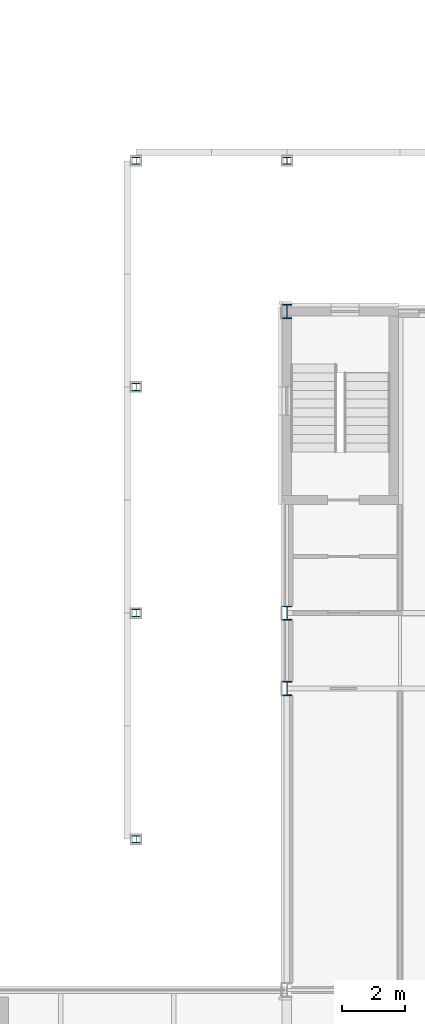
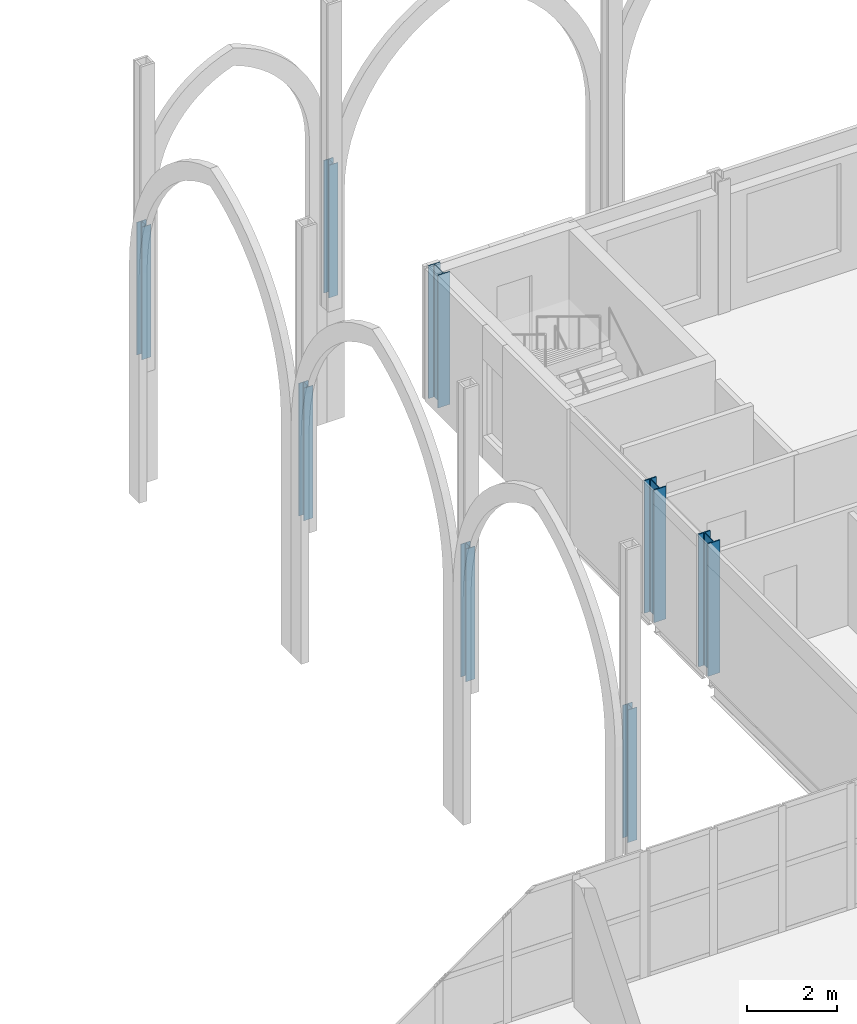
# One storey, part 10 of 124: 8 columns.
"""IFC4 building model written with IfcOpenShell, lengths in metres."""

from ifc_helpers import new_model, si_unit, direction, frame, origin, origin_2d, place, context, subcontext, project, spatial, i_section, extrude, material, material_profile, profile_set, type_object, element, save


model = new_model("IFC4")

# Units and contexts
model_context = context("Model", 3, precision=1e-05, world=origin(), true_north=direction((0.0, 1.0)))
body_context = subcontext(model_context, "Body", "Model", "MODEL_VIEW")
ifc_project = project(units=[si_unit("LENGTHUNIT", "METRE"), si_unit("AREAUNIT", "SQUARE_METRE"), si_unit("VOLUMEUNIT", "CUBIC_METRE"), si_unit("PLANEANGLEUNIT", "RADIAN"), si_unit("MASSUNIT", "GRAM", prefix="KILO")], contexts=[model_context])

# Site, building, storey
site_placement = place(None, origin())
site = spatial("IfcSite", under=ifc_project, at=site_placement, CompositionType="ELEMENT")
building_placement = place(site_placement, origin())
building = spatial("IfcBuilding", under=site, at=building_placement, Name="Kupolbacken Congress Centre", CompositionType="ELEMENT")
storey_placement = place(building_placement, frame((0.0, 0.0, 10.800048828125)))
storey = spatial("IfcBuildingStorey", under=building, at=storey_placement, Name="L03", CompositionType="ELEMENT", Elevation=10.800048828125)

# Columns
ifc_material_1 = material(Name="Steel S355", Category="steel")
ifc_material_profile_1 = material_profile(ifc_material_1, i_section(OverallWidth=0.300048828125, OverallDepth=0.449951171875, WebThickness=0.013916015625, FlangeThickness=0.02587890625, FilletRadius=0.027099609375, at=origin_2d()), Name="HEB 450")
ifc_profile_set_1 = profile_set([ifc_material_profile_1], Name="Steel S355")
column_type_1 = type_object("IfcColumnType", Name="C03 column HEB 450", PredefinedType="COLUMN", material=ifc_profile_set_1)
for number, where, z_axis, x_axis, name in (
    (1, (64.800048828125, 132.0, 0.0), (0.0, 0.0, 1.0), (1.0, 0.0, 0.0), "S/col/C-T-10U+2400/L03"),
    (2, (64.800048828125, 134.39990234375, 0.0), (0.0, 0.0, 1.0), (1.0, 0.0, 0.0), "S/col/C-T-10U+4800/L03"),
    (3, (64.800048828125, 144.0, 0.0), (0.0, 0.0, 1.0), (1.0, 0.0, 0.0), "S/col/C-T-10W/L03"),
):
    element("IfcColumn", number, at=place(storey_placement, frame(where, z_axis=z_axis, x_axis=x_axis)), inside=storey, type_object=column_type_1, Name=name, PredefinedType="COLUMN", context=body_context, shape_type="SweptSolid", body=[
        extrude(i_section(OverallWidth=0.300048828125, OverallDepth=0.449951171875, WebThickness=0.013916015625, FlangeThickness=0.02587890625, FilletRadius=0.027099609375, at=origin_2d()), origin(), (0.0, 0.0, 1.0), 3.599853515625),
    ])
ifc_material_2 = material(Name="Steel S355", Category="steel")
ifc_material_profile_2 = material_profile(ifc_material_2, i_section(OverallWidth=0.239990234375, OverallDepth=0.22998046875, WebThickness=0.007568359375, FlangeThickness=0.011962890625, FilletRadius=0.02099609375, at=origin_2d()), Name="HEA 240")
ifc_profile_set_2 = profile_set([ifc_material_profile_2], Name="Steel S355")
column_type_2 = type_object("IfcColumnType", Name="C10 column HEA 240", PredefinedType="COLUMN", material=ifc_profile_set_2)
for number, where, z_axis, x_axis, name in (
    (4, (60.0, 127.199951171875, 0.0), (0.0, 0.0, 1.0), (1.0, 0.0, 0.0), "E/T/portico/P/col60/L03"),
    (5, (60.0, 134.39990234375, 0.0), (0.0, 0.0, 1.0), (1.0, 0.0, 0.0), "E/T/portico/W/col134.4/L03"),
    (6, (60.0, 141.60009765625, 0.0), (0.0, 0.0, 1.0), (1.0, 0.0, 0.0), "E/T/portico/W/col141.6/L03"),
    (7, (60.0, 148.800048828125, 0.0), (0.0, 0.0, 1.0), (1.0, 0.0, 0.0), "E/T/portico/W/col148.8/L03"),
    (8, (64.800048828125, 148.800048828125, 0.0), (0.0, 0.0, 1.0), (1.0, 0.0, 0.0), "E/T/portico/N/col64.8/L03"),
):
    element("IfcColumn", number, at=place(storey_placement, frame(where, z_axis=z_axis, x_axis=x_axis)), inside=storey, type_object=column_type_2, Name=name, PredefinedType="COLUMN", context=body_context, shape_type="SweptSolid", body=[
        extrude(i_section(OverallWidth=0.239990234375, OverallDepth=0.22998046875, WebThickness=0.007568359375, FlangeThickness=0.011962890625, FilletRadius=0.02099609375, at=origin_2d()), origin(), (0.0, 0.0, 1.0), 3.599853515625),
    ])

save(model, "model.ifc")
